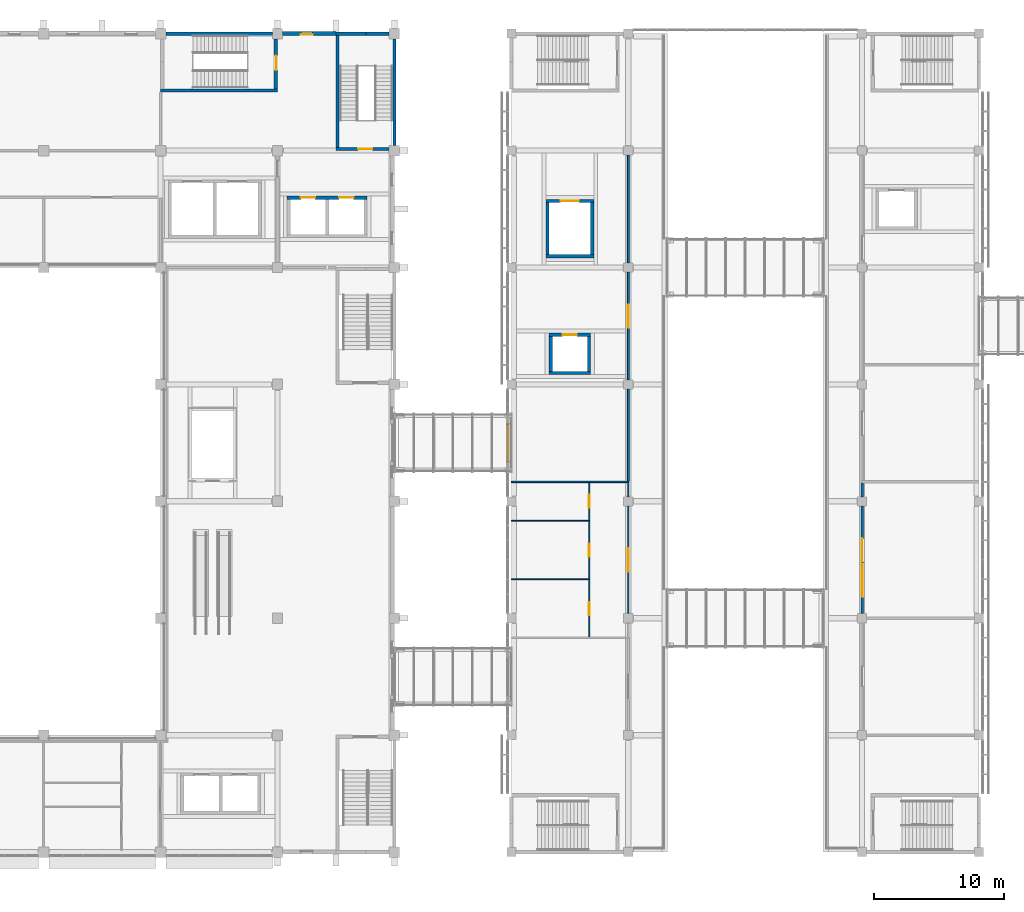
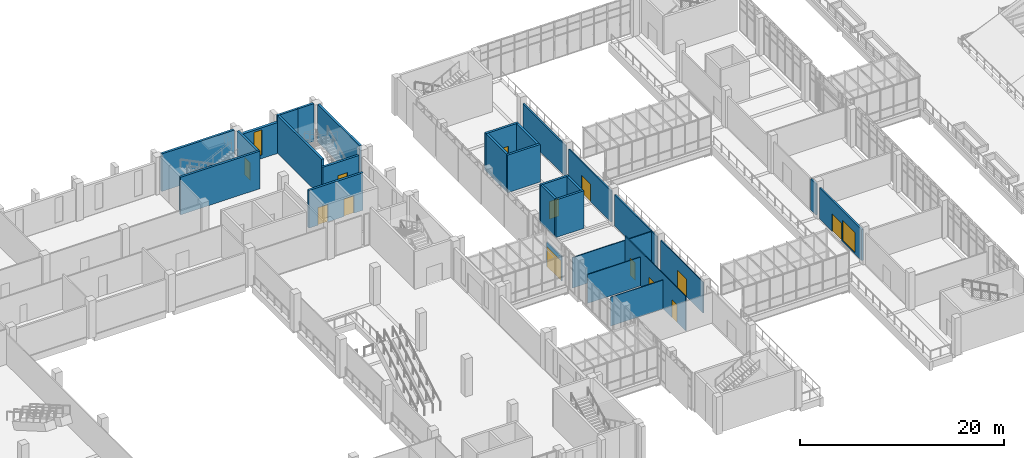
# One storey, part 74 of 106: 30 walls, 13 doors, 2 windows, 15 openings.
"""IFC4 building model written with IfcOpenShell, lengths in metres."""

from ifc_helpers import new_model, si_unit, direction, frame, frame_2d, origin, place, context, subcontext, project, spatial, rectangle, extrude, material, layer, layer_set, type_object, element, fill, save


model = new_model("IFC4")

# Units and contexts
model_context = context("Model", 3, precision=1e-05, world=origin(), true_north=direction((0.0, 1.0)))
body_context = subcontext(model_context, "Body", "Model", "MODEL_VIEW")
ifc_project = project(units=[si_unit("LENGTHUNIT", "METRE"), si_unit("AREAUNIT", "SQUARE_METRE"), si_unit("VOLUMEUNIT", "CUBIC_METRE"), si_unit("PLANEANGLEUNIT", "RADIAN"), si_unit("MASSUNIT", "GRAM", prefix="KILO")], contexts=[model_context])

# Site, building, storey
site_placement = place(None, origin())
site = spatial("IfcSite", under=ifc_project, at=site_placement, CompositionType="ELEMENT")
building_placement = place(site_placement, origin())
building = spatial("IfcBuilding", under=site, at=building_placement, Name="Guidao Yard Department Store", CompositionType="ELEMENT")
storey_placement = place(building_placement, frame((0.0, 0.0, 10.5)))
storey = spatial("IfcBuildingStorey", under=building, at=storey_placement, Name="L02", CompositionType="ELEMENT", Elevation=10.5)

# Walls
ifc_material_1 = material(Name="Moisture-resistant board on Steel Q235 studs", Category="steel")
ifc_layer_1 = layer(ifc_material_1, 0.080078125)
ifc_layer_set_1 = layer_set([ifc_layer_1], Name="Cubicle and Duct Partition P8 80 mm moisture-resistant board")
wall_type_1 = type_object("IfcWallType", Name="Cubicle and Duct Partition P8 80 mm moisture-resistant board", PredefinedType="PARTITIONING", material=ifc_layer_set_1)
for number, where, z_axis, x_axis, name in (
    (1, (72.0, 66.0, 0.0), (0.0, 0.0, 1.0), (1.0, 0.0, 0.0), "Wall W-AL02-010"),
    (2, (72.0, 70.5, 0.0), (0.0, 0.0, 1.0), (1.0, 0.0, 0.0), "Wall W-AL02-011"),
):
    element("IfcWall", number, at=place(storey_placement, frame(where, z_axis=z_axis, x_axis=x_axis)), inside=storey, type_object=wall_type_1, Name=name, PredefinedType="PARTITIONING", context=body_context, shape_type="SweptSolid", body=[
        extrude(rectangle(XDim=5.949951171875, YDim=0.080078125, at=frame_2d((2.97509765625, 0.0))), origin(), (0.0, 0.0, 1.0), 3.449951171875),
    ])

# Wall, opening, door
ifc_material_2 = material(Name="Aluminium 6063-T5", Category="aluminium")
ifc_layer_2 = layer(ifc_material_2, 0.1201171875)
ifc_layer_set_2 = layer_set([ifc_layer_2], Name="Glazing frame wall 120")
wall_type_2 = type_object("IfcWallType", Name="Glazing frame wall 120", PredefinedType="STANDARD", material=ifc_layer_set_2)
wall_1_placement = place(storey_placement, frame((71.719970703125, 75.030029296875, 0.0), z_axis=(0.0, 0.0, 1.0), x_axis=(0.0, 1.0, 0.0)))
wall_1 = element("IfcWall", 3, at=wall_1_placement, inside=storey, type_object=wall_type_2, Name="Frame wall for Bridge door BR04", PredefinedType="STANDARD", context=body_context, shape_type="SweptSolid", body=[
    extrude(rectangle(XDim=2.93994140625, YDim=0.1201171875, at=frame_2d((1.469970703125, 0.0))), origin(), (0.0, 0.0, 1.0), 2.969970703125),
])
opening_1_placement = place(wall_1_placement, frame((0.070068359375, 0.0, 0.0)))
opening_1 = element("IfcOpeningElement", 4, at=opening_1_placement, cuts=wall_1, Name="Opening L02-853", PredefinedType="OPENING", context=body_context, shape_type="SweptSolid", body=[
    extrude(rectangle(XDim=2.800048828125, YDim=2.39990234375, at=frame_2d((1.39990234375, 1.199951171875))), frame((0.0, 0.070068359375, 0.0), z_axis=(0.0, -1.0, 0.0), x_axis=(1.0, 0.0, 0.0)), (0.0, 0.0, 1.0), 0.14013671875),
])
ifc_material_3 = material(Name="Fire-resistant glass in steel frame", Category="steel")
door_type_1 = type_object("IfcDoorType", Name="Bridge door BD1 2800 x 2400 fire-rated glazed double leaf", OperationType="DOUBLE_DOOR_SINGLE_SWING", PredefinedType="DOOR", material=ifc_material_3)
door_1_placement = place(opening_1_placement, origin())
door_1 = element("IfcDoor", 5, at=door_1_placement, inside=storey, type_object=door_type_1, Name="Bridge door BR04", OperationType="DOUBLE_DOOR_SINGLE_SWING", OverallHeight=2.39990234375, OverallWidth=2.800048828125, PredefinedType="DOOR", context=body_context, shape_type="SweptSolid", body=[
    extrude(rectangle(XDim=2.800048828125, YDim=2.39990234375, at=frame_2d((1.39990234375, 1.199951171875))), frame((0.0, 0.02490234375, 0.0), z_axis=(0.0, -1.0, 0.0), x_axis=(1.0, 0.0, 0.0)), (0.0, 0.0, 1.0), 0.050048828125),
])
fill(opening_1, door_1)

# Wall, opening, window
ifc_material_4 = material(Name="Concrete C35", Category="concrete")
ifc_layer_3 = layer(ifc_material_4, 0.300048828125)
ifc_layer_set_3 = layer_set([ifc_layer_3], Name="Hall facade wall 300 C35")
wall_type_3 = type_object("IfcWallType", Name="Hall facade wall 300 C35", PredefinedType="SOLIDWALL", material=ifc_layer_set_3)
wall_2_placement = place(storey_placement, frame((54.39990234375, 108.0, 0.0), z_axis=(0.0, 0.0, 1.0), x_axis=(1.0, 0.0, 0.0)))
wall_2 = element("IfcWall", 6, at=wall_2_placement, inside=storey, type_object=wall_type_3, Name="Hall facade wall", PredefinedType="SOLIDWALL", context=body_context, shape_type="SweptSolid", body=[
    extrude(rectangle(XDim=4.10009765625, YDim=0.300048828125, at=frame_2d((2.050048828125, 0.0))), origin(), (0.0, 0.0, 1.0), 3.699951171875),
])
opening_2_placement = place(wall_2_placement, frame((1.39990234375, 0.0, 0.449951171875)))
opening_2 = element("IfcOpeningElement", 7, at=opening_2_placement, cuts=wall_2, Name="Opening WN-L02-E18", PredefinedType="OPENING", context=body_context, shape_type="SweptSolid", body=[
    extrude(rectangle(XDim=0.89990234375, YDim=3.0, at=frame_2d((0.449951171875, 1.5))), frame((0.0, 0.159912109375, 0.0), z_axis=(0.0, -1.0, 0.0), x_axis=(1.0, 0.0, 0.0)), (0.0, 0.0, 1.0), 0.320068359375),
])
ifc_material_5 = material(Name="Laminated glass in aluminium frame", Category="aluminium")
window_type_1 = type_object("IfcWindowType", Name="Slot window SL1 900 x 3000 fixed", PartitioningType="SINGLE_PANEL", PredefinedType="WINDOW", material=ifc_material_5)
window_1_placement = place(opening_2_placement, origin())
window_1 = element("IfcWindow", 8, at=window_1_placement, inside=storey, type_object=window_type_1, Name="Slot window", OverallHeight=3.0, OverallWidth=0.89990234375, PartitioningType="SINGLE_PANEL", PredefinedType="WINDOW", context=body_context, shape_type="SweptSolid", body=[
    extrude(rectangle(XDim=0.89990234375, YDim=3.0, at=frame_2d((0.449951171875, 1.5))), frame((0.0, -0.030029296875, 0.0), z_axis=(0.0, -1.0, 0.0), x_axis=(1.0, 0.0, 0.0)), (0.0, 0.0, 1.0), 0.06005859375),
])
fill(opening_2, window_1)

# Wall, openings, doors
ifc_material_6 = material(Name="Gypsum board on Steel Q235 studs", Category="steel")
ifc_layer_4 = layer(ifc_material_6, 0.10009765625)
ifc_layer_set_4 = layer_set([ifc_layer_4], Name="Partition P1 100 mm gypsum board EI 30")
wall_type_4 = type_object("IfcWallType", Name="Partition P1 100 mm gypsum board EI 30", PredefinedType="PARTITIONING", material=ifc_layer_set_4)
wall_3_placement = place(storey_placement, frame((78.0, 61.550048828125, 0.0), z_axis=(0.0, 0.0, 1.0), x_axis=(0.0, 1.0, 0.0)))
wall_3 = element("IfcWall", 9, at=wall_3_placement, inside=storey, type_object=wall_type_4, Name="Wall W-AL02-005", PredefinedType="PARTITIONING", context=body_context, shape_type="SweptSolid", body=[
    extrude(rectangle(XDim=11.89990234375, YDim=0.10009765625, at=frame_2d((5.949951171875, 0.0))), origin(), (0.0, 0.0, 1.0), 4.14990234375),
])
opening_3_placement = place(wall_3_placement, frame((1.699951171875, 0.0, 0.0)))
opening_3 = element("IfcOpeningElement", 10, at=opening_3_placement, cuts=wall_3, Name="Opening AL02-003", PredefinedType="OPENING", context=body_context, shape_type="SweptSolid", body=[
    extrude(rectangle(XDim=1.0, YDim=2.10009765625, at=frame_2d((0.5, 1.050048828125))), frame((0.0, 0.06005859375, 0.0), z_axis=(0.0, -1.0, 0.0), x_axis=(1.0, 0.0, 0.0)), (0.0, 0.0, 1.0), 0.1201171875),
])
opening_4_placement = place(wall_3_placement, frame((6.199951171875, 0.0, 0.0)))
opening_4 = element("IfcOpeningElement", 11, at=opening_4_placement, cuts=wall_3, Name="Opening AL02-005", PredefinedType="OPENING", context=body_context, shape_type="SweptSolid", body=[
    extrude(rectangle(XDim=1.0, YDim=2.10009765625, at=frame_2d((0.5, 1.050048828125))), frame((0.0, 0.06005859375, 0.0), z_axis=(0.0, -1.0, 0.0), x_axis=(1.0, 0.0, 0.0)), (0.0, 0.0, 1.0), 0.1201171875),
])
opening_5_placement = place(wall_3_placement, frame((9.949951171875, 0.0, 0.0)))
opening_5 = element("IfcOpeningElement", 12, at=opening_5_placement, cuts=wall_3, Name="Opening AL02-007", PredefinedType="OPENING", context=body_context, shape_type="SweptSolid", body=[
    extrude(rectangle(XDim=1.0, YDim=2.10009765625, at=frame_2d((0.5, 1.050048828125))), frame((0.0, 0.06005859375, 0.0), z_axis=(0.0, -1.0, 0.0), x_axis=(1.0, 0.0, 0.0)), (0.0, 0.0, 1.0), 0.1201171875),
])
ifc_material_7 = material(Name="Timber door leaf", Category="wood")
door_type_2 = type_object("IfcDoorType", Name="Door AD10 accessible WC 1000 x 2100", OperationType="SINGLE_SWING_LEFT", PredefinedType="DOOR", material=ifc_material_7)
door_2_placement = place(opening_4_placement, origin())
door_2 = element("IfcDoor", 13, at=door_2_placement, inside=storey, type_object=door_type_2, Name="Door AL02-005", OperationType="SINGLE_SWING_RIGHT", OverallHeight=2.10009765625, OverallWidth=1.0, PredefinedType="DOOR", context=body_context, shape_type="SweptSolid", body=[
    extrude(rectangle(XDim=1.0, YDim=2.10009765625, at=frame_2d((0.5, 1.050048828125))), frame((0.0, 0.02490234375, 0.0), z_axis=(0.0, -1.0, 0.0), x_axis=(1.0, 0.0, 0.0)), (0.0, 0.0, 1.0), 0.050048828125),
])
fill(opening_4, door_2)
ifc_material_8 = material(Name="Timber door leaf", Category="wood")
door_type_3 = type_object("IfcDoorType", Name="Door D2 1000 x 2100", OperationType="SINGLE_SWING_LEFT", PredefinedType="DOOR", material=ifc_material_8)
door_3_placement = place(opening_3_placement, origin())
door_3 = element("IfcDoor", 14, at=door_3_placement, inside=storey, type_object=door_type_3, Name="Door AL02-003", OperationType="SINGLE_SWING_LEFT", OverallHeight=2.10009765625, OverallWidth=1.0, PredefinedType="DOOR", context=body_context, shape_type="SweptSolid", body=[
    extrude(rectangle(XDim=1.0, YDim=2.10009765625, at=frame_2d((0.5, 1.050048828125))), frame((0.0, 0.02490234375, 0.0), z_axis=(0.0, -1.0, 0.0), x_axis=(1.0, 0.0, 0.0)), (0.0, 0.0, 1.0), 0.050048828125),
])
fill(opening_3, door_3)
door_4_placement = place(opening_5_placement, origin())
door_4 = element("IfcDoor", 15, at=door_4_placement, inside=storey, type_object=door_type_3, Name="Door AL02-007", OperationType="SINGLE_SWING_RIGHT", OverallHeight=2.10009765625, OverallWidth=1.0, PredefinedType="DOOR", context=body_context, shape_type="SweptSolid", body=[
    extrude(rectangle(XDim=1.0, YDim=2.10009765625, at=frame_2d((0.5, 1.050048828125))), frame((0.0, 0.02490234375, 0.0), z_axis=(0.0, -1.0, 0.0), x_axis=(1.0, 0.0, 0.0)), (0.0, 0.0, 1.0), 0.050048828125),
])
fill(opening_5, door_4)

# Wall, opening, door
wall_4_placement = place(storey_placement, frame((81.0, 63.35009765625, 0.0), z_axis=(0.0, 0.0, 1.0), x_axis=(0.0, 1.0, 0.0)))
wall_4 = element("IfcWall", 16, at=wall_4_placement, inside=storey, type_object=wall_type_4, Name="Wall W-AL02-008", PredefinedType="PARTITIONING", context=body_context, shape_type="SweptSolid", body=[
    extrude(rectangle(XDim=8.2998046875, YDim=0.10009765625, at=frame_2d((4.14990234375, 0.0))), origin(), (0.0, 0.0, 1.0), 3.699951171875),
])
opening_6_placement = place(wall_4_placement, frame((3.25, 0.0, 0.0)))
opening_6 = element("IfcOpeningElement", 17, at=opening_6_placement, cuts=wall_4, Name="Opening AL02-004", PredefinedType="OPENING", context=body_context, shape_type="SweptSolid", body=[
    extrude(rectangle(XDim=1.800048828125, YDim=2.10009765625, at=frame_2d((0.89990234375, 1.050048828125))), frame((0.0, 0.06005859375, 0.0), z_axis=(0.0, -1.0, 0.0), x_axis=(1.0, 0.0, 0.0)), (0.0, 0.0, 1.0), 0.1201171875),
])
ifc_material_9 = material(Name="Timber door leaf", Category="wood")
door_type_4 = type_object("IfcDoorType", Name="Door D3 double 1800 x 2100", OperationType="DOUBLE_DOOR_SINGLE_SWING", PredefinedType="DOOR", material=ifc_material_9)
door_5_placement = place(opening_6_placement, origin())
door_5 = element("IfcDoor", 18, at=door_5_placement, inside=storey, type_object=door_type_4, Name="Door AL02-004", OperationType="DOUBLE_DOOR_SINGLE_SWING", OverallHeight=2.10009765625, OverallWidth=1.800048828125, PredefinedType="DOOR", context=body_context, shape_type="SweptSolid", body=[
    extrude(rectangle(XDim=1.800048828125, YDim=2.10009765625, at=frame_2d((0.89990234375, 1.050048828125))), frame((0.0, 0.02490234375, 0.0), z_axis=(0.0, -1.0, 0.0), x_axis=(1.0, 0.0, 0.0)), (0.0, 0.0, 1.0), 0.050048828125),
])
fill(opening_6, door_5)

# Walls
wall_5_placement = place(storey_placement, frame((81.0, 72.35009765625, 0.0), z_axis=(0.0, 0.0, 1.0), x_axis=(0.0, 1.0, 0.0)))
element("IfcWall", 19, at=wall_5_placement, inside=storey, type_object=wall_type_4, Name="Wall W-AL02-012", PredefinedType="PARTITIONING", context=body_context, shape_type="SweptSolid", body=[
    extrude(rectangle(XDim=1.099853515625, YDim=0.10009765625, at=frame_2d((0.5498046875, 0.0))), origin(), (0.0, 0.0, 1.0), 3.699951171875),
])
wall_6_placement = place(storey_placement, frame((72.0, 73.5, 0.0), z_axis=(0.0, 0.0, 1.0), x_axis=(1.0, 0.0, 0.0)))
element("IfcWall", 20, at=wall_6_placement, inside=storey, type_object=wall_type_4, Name="Wall W-AL02-015", PredefinedType="PARTITIONING", context=body_context, shape_type="SweptSolid", body=[
    extrude(rectangle(XDim=9.050048828125, YDim=0.10009765625, at=frame_2d((4.52490234375, 0.0))), origin(), (0.0, 0.0, 1.0), 3.64990234375),
])

# Wall, openings, door, window
ifc_material_10 = material(Name="Concrete block MU10", Category="concrete")
ifc_layer_5 = layer(ifc_material_10, 0.199951171875)
ifc_layer_set_5 = layer_set([ifc_layer_5], Name="Shopfront Wall P4 200 mm blockwork EI 60")
wall_type_5 = type_object("IfcWallType", Name="Shopfront Wall P4 200 mm blockwork EI 60", PredefinedType="PARTITIONING", material=ifc_layer_set_5)
wall_7_placement = place(storey_placement, frame((99.0, 63.35009765625, 0.0), z_axis=(0.0, 0.0, 1.0), x_axis=(0.0, 1.0, 0.0)))
wall_7 = element("IfcWall", 21, at=wall_7_placement, inside=storey, type_object=wall_type_5, Name="Wall W-AL02-009", PredefinedType="PARTITIONING", context=body_context, shape_type="SweptSolid", body=[
    extrude(rectangle(XDim=8.2998046875, YDim=0.199951171875, at=frame_2d((4.14990234375, 0.0))), origin(), (0.0, 0.0, 1.0), 3.699951171875),
])
opening_7_placement = place(wall_7_placement, frame((5.800048828125, 0.0, 0.0), z_axis=(0.0, 0.0, 1.0), x_axis=(-1.0, 0.0, 0.0)))
opening_7 = element("IfcOpeningElement", 22, at=opening_7_placement, cuts=wall_7, Name="Opening AL02-006", PredefinedType="OPENING", context=body_context, shape_type="SweptSolid", body=[
    extrude(rectangle(XDim=1.800048828125, YDim=2.10009765625, at=frame_2d((0.89990234375, 1.050048828125))), frame((0.0, 0.10986328125, 0.0), z_axis=(0.0, -1.0, 0.0), x_axis=(1.0, 0.0, 0.0)), (0.0, 0.0, 1.0), 0.219970703125),
])
opening_8_placement = place(wall_7_placement, frame((1.300048828125, 0.0, 0.14990234375)))
opening_8 = element("IfcOpeningElement", 23, at=opening_8_placement, cuts=wall_7, Name="Opening WN-AL02-301", PredefinedType="OPENING", context=body_context, shape_type="SweptSolid", body=[
    extrude(rectangle(XDim=2.5, YDim=2.39990234375, at=frame_2d((1.25, 1.199951171875))), frame((0.0, 0.10986328125, 0.0), z_axis=(0.0, -1.0, 0.0), x_axis=(1.0, 0.0, 0.0)), (0.0, 0.0, 1.0), 0.219970703125),
])
ifc_material_11 = material(Name="Steel Q235", Category="steel")
door_type_5 = type_object("IfcDoorType", Name="Door FD5 double 1800 x 2100 FD60", OperationType="DOUBLE_DOOR_SINGLE_SWING", PredefinedType="DOOR", material=ifc_material_11)
door_6_placement = place(opening_7_placement, origin())
door_6 = element("IfcDoor", 24, at=door_6_placement, inside=storey, type_object=door_type_5, Name="Door AL02-006", OperationType="DOUBLE_DOOR_SINGLE_SWING", OverallHeight=2.10009765625, OverallWidth=1.800048828125, PredefinedType="DOOR", context=body_context, shape_type="SweptSolid", body=[
    extrude(rectangle(XDim=1.800048828125, YDim=2.10009765625, at=frame_2d((0.89990234375, 1.050048828125))), frame((0.0, 0.02490234375, 0.0), z_axis=(0.0, -1.0, 0.0), x_axis=(1.0, 0.0, 0.0)), (0.0, 0.0, 1.0), 0.050048828125),
])
fill(opening_7, door_6)
ifc_material_12 = material(Name="Fire-rated glazing in Steel Q235 frame", Category="steel")
window_type_2 = type_object("IfcWindowType", Name="Window WN1 fire-glazed shop panel 2500 x 2400 EI 60", PartitioningType="SINGLE_PANEL", PredefinedType="WINDOW", material=ifc_material_12)
window_2_placement = place(opening_8_placement, origin())
window_2 = element("IfcWindow", 25, at=window_2_placement, inside=storey, type_object=window_type_2, Name="Window WN-AL02-301", OverallHeight=2.39990234375, OverallWidth=2.5, PartitioningType="SINGLE_PANEL", PredefinedType="WINDOW", context=body_context, shape_type="SweptSolid", body=[
    extrude(rectangle(XDim=2.5, YDim=2.39990234375, at=frame_2d((1.25, 1.199951171875))), frame((0.0, 0.030029296875, 0.0), z_axis=(0.0, -1.0, 0.0), x_axis=(1.0, 0.0, 0.0)), (0.0, 0.0, 1.0), 0.06005859375),
])
fill(opening_8, window_2)

# Walls
wall_8_placement = place(storey_placement, frame((99.0, 72.35009765625, 0.0), z_axis=(0.0, 0.0, 1.0), x_axis=(0.0, 1.0, 0.0)))
element("IfcWall", 26, at=wall_8_placement, inside=storey, type_object=wall_type_5, Name="Wall W-AL02-013", PredefinedType="PARTITIONING", context=body_context, shape_type="SweptSolid", body=[
    extrude(rectangle(XDim=1.0498046875, YDim=0.199951171875, at=frame_2d((0.52490234375, 0.0))), origin(), (0.0, 0.0, 1.0), 3.699951171875),
])
ifc_material_13 = material(Name="Concrete block MU10", Category="concrete")
ifc_layer_6 = layer(ifc_material_13, 0.14990234375)
ifc_layer_set_6 = layer_set([ifc_layer_6], Name="Wall P2 150 mm blockwork EI 60")
wall_type_6 = type_object("IfcWallType", Name="Wall P2 150 mm blockwork EI 60", PredefinedType="PARTITIONING", material=ifc_layer_set_6)
wall_9_placement = place(storey_placement, frame((81.0, 73.550048828125, 0.0), z_axis=(0.0, 0.0, 1.0), x_axis=(0.0, 1.0, 0.0)))
element("IfcWall", 27, at=wall_9_placement, inside=storey, type_object=wall_type_6, Name="Wall W-AL02-016", PredefinedType="PARTITIONING", context=body_context, shape_type="SweptSolid", body=[
    extrude(rectangle(XDim=7.099853515625, YDim=0.14990234375, at=frame_2d((3.5498046875, 0.0))), origin(), (0.0, 0.0, 1.0), 3.699951171875),
])

# Wall, opening, door
wall_10_placement = place(storey_placement, frame((81.0, 81.35009765625, 0.0), z_axis=(0.0, 0.0, 1.0), x_axis=(0.0, 1.0, 0.0)))
wall_10 = element("IfcWall", 28, at=wall_10_placement, inside=storey, type_object=wall_type_6, Name="Wall W-AL02-018", PredefinedType="PARTITIONING", context=body_context, shape_type="SweptSolid", body=[
    extrude(rectangle(XDim=8.2998046875, YDim=0.14990234375, at=frame_2d((4.14990234375, 0.0))), origin(), (0.0, 0.0, 1.0), 3.699951171875),
])
opening_9_placement = place(wall_10_placement, frame((4.0, 0.0, 0.0)))
opening_9 = element("IfcOpeningElement", 29, at=opening_9_placement, cuts=wall_10, Name="Opening AL02-009", PredefinedType="OPENING", context=body_context, shape_type="SweptSolid", body=[
    extrude(rectangle(XDim=1.800048828125, YDim=2.10009765625, at=frame_2d((0.89990234375, 1.050048828125))), frame((0.0, 0.0849609375, 0.0), z_axis=(0.0, -1.0, 0.0), x_axis=(1.0, 0.0, 0.0)), (0.0, 0.0, 1.0), 0.169921875),
])
door_7_placement = place(opening_9_placement, origin())
door_7 = element("IfcDoor", 30, at=door_7_placement, inside=storey, type_object=door_type_5, Name="Door AL02-009", OperationType="DOUBLE_DOOR_SINGLE_SWING", OverallHeight=2.10009765625, OverallWidth=1.800048828125, PredefinedType="DOOR", context=body_context, shape_type="SweptSolid", body=[
    extrude(rectangle(XDim=1.800048828125, YDim=2.10009765625, at=frame_2d((0.89990234375, 1.050048828125))), frame((0.0, 0.02490234375, 0.0), z_axis=(0.0, -1.0, 0.0), x_axis=(1.0, 0.0, 0.0)), (0.0, 0.0, 1.0), 0.050048828125),
])
fill(opening_9, door_7)

# Wall
wall_11_placement = place(storey_placement, frame((81.0, 90.35009765625, 0.0), z_axis=(0.0, 0.0, 1.0), x_axis=(0.0, 1.0, 0.0)))
element("IfcWall", 31, at=wall_11_placement, inside=storey, type_object=wall_type_6, Name="Wall W-AL02-021", PredefinedType="PARTITIONING", context=body_context, shape_type="SweptSolid", body=[
    extrude(rectangle(XDim=8.2998046875, YDim=0.14990234375, at=frame_2d((4.14990234375, 0.0))), origin(), (0.0, 0.0, 1.0), 3.699951171875),
])

# Wall, opening, door
ifc_material_14 = material(Name="Concrete C40", Category="concrete")
ifc_layer_7 = layer(ifc_material_14, 0.25)
ifc_layer_set_7 = layer_set([ifc_layer_7], Name="Wall RC 250 C40 stair and shaft")
wall_type_7 = type_object("IfcWallType", Name="Wall RC 250 C40 stair and shaft", PredefinedType="SHEAR", material=ifc_layer_set_7)
wall_12_placement = place(storey_placement, frame((58.5, 99.125, 0.0), z_axis=(0.0, 0.0, 1.0), x_axis=(1.0, 0.0, 0.0)))
wall_12 = element("IfcWall", 32, at=wall_12_placement, inside=storey, type_object=wall_type_7, Name="Stair wall SA6", PredefinedType="SHEAR", context=body_context, shape_type="SweptSolid", body=[
    extrude(rectangle(XDim=4.10009765625, YDim=0.25, at=frame_2d((2.050048828125, 0.0))), origin(), (0.0, 0.0, 1.0), 3.699951171875),
])
opening_10_placement = place(wall_12_placement, frame((1.699951171875, 0.0, 0.0)))
opening_10 = element("IfcOpeningElement", 33, at=opening_10_placement, cuts=wall_12, Name="Opening L02-805", PredefinedType="OPENING", context=body_context, shape_type="SweptSolid", body=[
    extrude(rectangle(XDim=1.10009765625, YDim=2.10009765625, at=frame_2d((0.550048828125, 1.050048828125))), frame((0.0, 0.135009765625, 0.0), z_axis=(0.0, -1.0, 0.0), x_axis=(1.0, 0.0, 0.0)), (0.0, 0.0, 1.0), 0.27001953125),
])
ifc_material_15 = material(Name="Steel Q235", Category="steel")
door_type_6 = type_object("IfcDoorType", Name="Door fire-resisting 1100 x 2100 FD60", OperationType="SINGLE_SWING_LEFT", PredefinedType="DOOR", material=ifc_material_15)
door_8_placement = place(opening_10_placement, origin())
door_8 = element("IfcDoor", 34, at=door_8_placement, inside=storey, type_object=door_type_6, Name="Stair A6 door L02", OperationType="SINGLE_SWING_RIGHT", OverallHeight=2.10009765625, OverallWidth=1.10009765625, PredefinedType="DOOR", context=body_context, shape_type="SweptSolid", body=[
    extrude(rectangle(XDim=1.10009765625, YDim=2.10009765625, at=frame_2d((0.550048828125, 1.050048828125))), frame((0.0, 0.02490234375, 0.0), z_axis=(0.0, -1.0, 0.0), x_axis=(1.0, 0.0, 0.0)), (0.0, 0.0, 1.0), 0.050048828125),
])
fill(opening_10, door_8)

# Walls
wall_13_placement = place(storey_placement, frame((58.5, 108.0, 0.0), z_axis=(0.0, 0.0, 1.0), x_axis=(1.0, 0.0, 0.0)))
element("IfcWall", 35, at=wall_13_placement, inside=storey, type_object=wall_type_7, Name="Stair wall SA6", PredefinedType="SHEAR", context=body_context, shape_type="SweptSolid", body=[
    extrude(rectangle(XDim=2.31201171875, YDim=0.25, at=frame_2d((1.156005859375, 0.0))), origin(), (0.0, 0.0, 1.0), 4.5),
])
wall_14_placement = place(storey_placement, frame((60.81201171875, 108.0, 0.0), z_axis=(0.0, 0.0, 1.0), x_axis=(1.0, 0.0, 0.0)))
element("IfcWall", 36, at=wall_14_placement, inside=storey, type_object=wall_type_7, Name="Stair wall SA6", PredefinedType="SHEAR", context=body_context, shape_type="SweptSolid", body=[
    extrude(rectangle(XDim=1.7880859375, YDim=0.25, at=frame_2d((0.89404296875, 0.0))), origin(), (0.0, 0.0, 1.0), 4.5),
])
wall_15_placement = place(storey_placement, frame((58.625, 99.25, 0.0), z_axis=(0.0, 0.0, 1.0), x_axis=(0.0, 1.0, 0.0)))
element("IfcWall", 37, at=wall_15_placement, inside=storey, type_object=wall_type_7, Name="Stair wall SA6", PredefinedType="SHEAR", context=body_context, shape_type="SweptSolid", body=[
    extrude(rectangle(XDim=8.625, YDim=0.25, at=frame_2d((4.3125, 0.0))), origin(), (0.0, 0.0, 1.0), 4.5),
])
wall_16_placement = place(storey_placement, frame((63.0, 99.39990234375, 0.0), z_axis=(0.0, 0.0, 1.0), x_axis=(0.0, 1.0, 0.0)))
element("IfcWall", 38, at=wall_16_placement, inside=storey, type_object=wall_type_7, Name="Stair wall SA6", PredefinedType="SHEAR", context=body_context, shape_type="SweptSolid", body=[
    extrude(rectangle(XDim=8.2001953125, YDim=0.25, at=frame_2d((4.10009765625, 0.0))), origin(), (0.0, 0.0, 1.0), 4.5),
])
wall_17_placement = place(storey_placement, frame((45.0, 103.625, 0.0), z_axis=(0.0, 0.0, 1.0), x_axis=(1.0, 0.0, 0.0)))
element("IfcWall", 39, at=wall_17_placement, inside=storey, type_object=wall_type_7, Name="Stair wall SA7", PredefinedType="SHEAR", context=body_context, shape_type="SweptSolid", body=[
    extrude(rectangle(XDim=9.0, YDim=0.25, at=frame_2d((4.5, 0.0))), origin(), (0.0, 0.0, 1.0), 4.5),
])
wall_18_placement = place(storey_placement, frame((45.39990234375, 108.0, 0.0), z_axis=(0.0, 0.0, 1.0), x_axis=(1.0, 0.0, 0.0)))
element("IfcWall", 40, at=wall_18_placement, inside=storey, type_object=wall_type_7, Name="Stair wall SA7", PredefinedType="SHEAR", context=body_context, shape_type="SweptSolid", body=[
    extrude(rectangle(XDim=8.2001953125, YDim=0.25, at=frame_2d((4.10009765625, 0.0))), origin(), (0.0, 0.0, 1.0), 4.5),
])

# Wall, opening, door
wall_19_placement = place(storey_placement, frame((53.875, 103.75, 0.0), z_axis=(0.0, 0.0, 1.0), x_axis=(0.0, 1.0, 0.0)))
wall_19 = element("IfcWall", 41, at=wall_19_placement, inside=storey, type_object=wall_type_7, Name="Stair wall SA7", PredefinedType="SHEAR", context=body_context, shape_type="SweptSolid", body=[
    extrude(rectangle(XDim=3.85009765625, YDim=0.25, at=frame_2d((1.925048828125, 0.0))), origin(), (0.0, 0.0, 1.0), 4.5),
])
opening_11_placement = place(wall_19_placement, frame((1.449951171875, 0.0, 0.0)))
opening_11 = element("IfcOpeningElement", 42, at=opening_11_placement, cuts=wall_19, Name="Opening L02-806", PredefinedType="OPENING", context=body_context, shape_type="SweptSolid", body=[
    extrude(rectangle(XDim=1.10009765625, YDim=2.10009765625, at=frame_2d((0.550048828125, 1.050048828125))), frame((0.0, 0.135009765625, 0.0), z_axis=(0.0, -1.0, 0.0), x_axis=(1.0, 0.0, 0.0)), (0.0, 0.0, 1.0), 0.27001953125),
])
door_9_placement = place(opening_11_placement, origin())
door_9 = element("IfcDoor", 43, at=door_9_placement, inside=storey, type_object=door_type_6, Name="Stair A7 door L02", OperationType="SINGLE_SWING_RIGHT", OverallHeight=2.10009765625, OverallWidth=1.10009765625, PredefinedType="DOOR", context=body_context, shape_type="SweptSolid", body=[
    extrude(rectangle(XDim=1.10009765625, YDim=2.10009765625, at=frame_2d((0.550048828125, 1.050048828125))), frame((0.0, 0.02490234375, 0.0), z_axis=(0.0, -1.0, 0.0), x_axis=(1.0, 0.0, 0.0)), (0.0, 0.0, 1.0), 0.050048828125),
])
fill(opening_11, door_9)

wall_20_placement = place(storey_placement, frame((74.89990234375, 84.824951171875, 0.0), z_axis=(0.0, 0.0, 1.0), x_axis=(1.0, 0.0, 0.0)))
wall_20 = element("IfcWall", 44, at=wall_20_placement, inside=storey, type_object=wall_type_7, Name="Lift shaft wall GL1", PredefinedType="SHEAR", context=body_context, shape_type="SweptSolid", body=[
    extrude(rectangle(XDim=3.2001953125, YDim=0.25, at=frame_2d((1.60009765625, 0.0))), origin(), (0.0, 0.0, 1.0), 4.5),
])
opening_12_placement = place(wall_20_placement, frame((1.050048828125, 0.0, 0.0)))
opening_12 = element("IfcOpeningElement", 45, at=opening_12_placement, cuts=wall_20, Name="Opening LD-GL1-L02", PredefinedType="OPENING", context=body_context, shape_type="SweptSolid", body=[
    extrude(rectangle(XDim=1.10009765625, YDim=2.10009765625, at=frame_2d((0.550048828125, 1.050048828125))), frame((0.0, 0.135009765625, 0.0), z_axis=(0.0, -1.0, 0.0), x_axis=(1.0, 0.0, 0.0)), (0.0, 0.0, 1.0), 0.27001953125),
])
ifc_material_16 = material(Name="Stainless steel 06Cr19Ni10", Category="steel")
door_type_7 = type_object("IfcDoorType", Name="Lift landing door fire-resisting sliding 1100 x 2100", OperationType="DOUBLE_DOOR_SLIDING", PredefinedType="DOOR", material=ifc_material_16)
door_10_placement = place(opening_12_placement, origin())
door_10 = element("IfcDoor", 46, at=door_10_placement, inside=storey, type_object=door_type_7, Name="Lift landing door GL1 L02", OperationType="DOUBLE_DOOR_SLIDING", OverallHeight=2.10009765625, OverallWidth=1.10009765625, PredefinedType="DOOR", context=body_context, shape_type="SweptSolid", body=[
    extrude(rectangle(XDim=1.10009765625, YDim=2.10009765625, at=frame_2d((0.550048828125, 1.050048828125))), frame((0.0, 0.02490234375, 0.0), z_axis=(0.0, -1.0, 0.0), x_axis=(1.0, 0.0, 0.0)), (0.0, 0.0, 1.0), 0.050048828125),
])
fill(opening_12, door_10)

# Walls
wall_21_placement = place(storey_placement, frame((74.89990234375, 81.875, 0.0), z_axis=(0.0, 0.0, 1.0), x_axis=(1.0, 0.0, 0.0)))
element("IfcWall", 47, at=wall_21_placement, inside=storey, type_object=wall_type_7, Name="Lift shaft wall GL1", PredefinedType="SHEAR", context=body_context, shape_type="SweptSolid", body=[
    extrude(rectangle(XDim=3.2001953125, YDim=0.25, at=frame_2d((1.60009765625, 0.0))), origin(), (0.0, 0.0, 1.0), 4.5),
])
for number, where, z_axis, x_axis, name in (
    (48, (75.02490234375, 82.0, 0.0), (0.0, 0.0, 1.0), (0.0, 1.0, 0.0), "Lift shaft wall GL1"),
    (49, (77.97509765625, 82.0, 0.0), (0.0, 0.0, 1.0), (0.0, 1.0, 0.0), "Lift shaft wall GL1"),
):
    element("IfcWall", number, at=place(storey_placement, frame(where, z_axis=z_axis, x_axis=x_axis)), inside=storey, type_object=wall_type_7, Name=name, PredefinedType="SHEAR", context=body_context, shape_type="SweptSolid", body=[
        extrude(rectangle(XDim=2.699951171875, YDim=0.25, at=frame_2d((1.35009765625, 0.0))), origin(), (0.0, 0.0, 1.0), 4.5),
    ])

# Wall, opening, door
wall_22_placement = place(storey_placement, frame((74.64990234375, 95.125, 0.0), z_axis=(0.0, 0.0, 1.0), x_axis=(1.0, 0.0, 0.0)))
wall_22 = element("IfcWall", 50, at=wall_22_placement, inside=storey, type_object=wall_type_7, Name="Lift shaft wall GG1", PredefinedType="SHEAR", context=body_context, shape_type="SweptSolid", body=[
    extrude(rectangle(XDim=3.7001953125, YDim=0.25, at=frame_2d((1.85009765625, 0.0))), origin(), (0.0, 0.0, 1.0), 4.5),
])
opening_13_placement = place(wall_22_placement, frame((1.14990234375, 0.0, 0.0)))
opening_13 = element("IfcOpeningElement", 51, at=opening_13_placement, cuts=wall_22, Name="Opening LD-GG1-L02", PredefinedType="OPENING", context=body_context, shape_type="SweptSolid", body=[
    extrude(rectangle(XDim=1.39990234375, YDim=2.10009765625, at=frame_2d((0.699951171875, 1.050048828125))), frame((0.0, 0.135009765625, 0.0), z_axis=(0.0, -1.0, 0.0), x_axis=(1.0, 0.0, 0.0)), (0.0, 0.0, 1.0), 0.27001953125),
])
ifc_material_17 = material(Name="Stainless steel 06Cr19Ni10", Category="steel")
door_type_8 = type_object("IfcDoorType", Name="Lift landing door fire-resisting sliding 1400 x 2100", OperationType="DOUBLE_DOOR_SLIDING", PredefinedType="DOOR", material=ifc_material_17)
door_11_placement = place(opening_13_placement, origin())
door_11 = element("IfcDoor", 52, at=door_11_placement, inside=storey, type_object=door_type_8, Name="Lift landing door GG1 L02", OperationType="DOUBLE_DOOR_SLIDING", OverallHeight=2.10009765625, OverallWidth=1.39990234375, PredefinedType="DOOR", context=body_context, shape_type="SweptSolid", body=[
    extrude(rectangle(XDim=1.39990234375, YDim=2.10009765625, at=frame_2d((0.699951171875, 1.050048828125))), frame((0.0, 0.02490234375, 0.0), z_axis=(0.0, -1.0, 0.0), x_axis=(1.0, 0.0, 0.0)), (0.0, 0.0, 1.0), 0.050048828125),
])
fill(opening_13, door_11)

# Walls
wall_23_placement = place(storey_placement, frame((74.64990234375, 90.875, 0.0), z_axis=(0.0, 0.0, 1.0), x_axis=(1.0, 0.0, 0.0)))
element("IfcWall", 53, at=wall_23_placement, inside=storey, type_object=wall_type_7, Name="Lift shaft wall GG1", PredefinedType="SHEAR", context=body_context, shape_type="SweptSolid", body=[
    extrude(rectangle(XDim=3.7001953125, YDim=0.25, at=frame_2d((1.85009765625, 0.0))), origin(), (0.0, 0.0, 1.0), 4.5),
])
for number, where, z_axis, x_axis, name in (
    (54, (74.77490234375, 91.0, 0.0), (0.0, 0.0, 1.0), (0.0, 1.0, 0.0), "Lift shaft wall GG1"),
    (55, (78.22509765625, 91.0, 0.0), (0.0, 0.0, 1.0), (0.0, 1.0, 0.0), "Lift shaft wall GG1"),
):
    element("IfcWall", number, at=place(storey_placement, frame(where, z_axis=z_axis, x_axis=x_axis)), inside=storey, type_object=wall_type_7, Name=name, PredefinedType="SHEAR", context=body_context, shape_type="SweptSolid", body=[
        extrude(rectangle(XDim=4.0, YDim=0.25, at=frame_2d((2.0, 0.0))), origin(), (0.0, 0.0, 1.0), 4.5),
    ])

# Wall, openings, doors
wall_24_placement = place(storey_placement, frame((54.75, 95.375, 0.0), z_axis=(0.0, 0.0, 1.0), x_axis=(1.0, 0.0, 0.0)))
wall_24 = element("IfcWall", 56, at=wall_24_placement, inside=storey, type_object=wall_type_7, Name="Lift shaft wall HF1 to HF2", PredefinedType="SHEAR", context=body_context, shape_type="SweptSolid", body=[
    extrude(rectangle(XDim=6.14990234375, YDim=0.25, at=frame_2d((3.074951171875, 0.0))), origin(), (0.0, 0.0, 1.0), 4.5),
])
opening_14_placement = place(wall_24_placement, frame((1.050048828125, 0.0, 0.0)))
opening_14 = element("IfcOpeningElement", 57, at=opening_14_placement, cuts=wall_24, Name="Opening LD-HF1-L02", PredefinedType="OPENING", context=body_context, shape_type="SweptSolid", body=[
    extrude(rectangle(XDim=1.10009765625, YDim=2.10009765625, at=frame_2d((0.550048828125, 1.050048828125))), frame((0.0, 0.135009765625, 0.0), z_axis=(0.0, -1.0, 0.0), x_axis=(1.0, 0.0, 0.0)), (0.0, 0.0, 1.0), 0.27001953125),
])
opening_15_placement = place(wall_24_placement, frame((4.0, 0.0, 0.0)))
opening_15 = element("IfcOpeningElement", 58, at=opening_15_placement, cuts=wall_24, Name="Opening LD-HF2-L02", PredefinedType="OPENING", context=body_context, shape_type="SweptSolid", body=[
    extrude(rectangle(XDim=1.10009765625, YDim=2.10009765625, at=frame_2d((0.550048828125, 1.050048828125))), frame((0.0, 0.135009765625, 0.0), z_axis=(0.0, -1.0, 0.0), x_axis=(1.0, 0.0, 0.0)), (0.0, 0.0, 1.0), 0.27001953125),
])
door_12_placement = place(opening_14_placement, origin())
door_12 = element("IfcDoor", 59, at=door_12_placement, inside=storey, type_object=door_type_7, Name="Lift landing door HF1 L02", OperationType="DOUBLE_DOOR_SLIDING", OverallHeight=2.10009765625, OverallWidth=1.10009765625, PredefinedType="DOOR", context=body_context, shape_type="SweptSolid", body=[
    extrude(rectangle(XDim=1.10009765625, YDim=2.10009765625, at=frame_2d((0.550048828125, 1.050048828125))), frame((0.0, 0.02490234375, 0.0), z_axis=(0.0, -1.0, 0.0), x_axis=(1.0, 0.0, 0.0)), (0.0, 0.0, 1.0), 0.050048828125),
])
fill(opening_14, door_12)
door_13_placement = place(opening_15_placement, origin())
door_13 = element("IfcDoor", 60, at=door_13_placement, inside=storey, type_object=door_type_7, Name="Lift landing door HF2 L02", OperationType="DOUBLE_DOOR_SLIDING", OverallHeight=2.10009765625, OverallWidth=1.10009765625, PredefinedType="DOOR", context=body_context, shape_type="SweptSolid", body=[
    extrude(rectangle(XDim=1.10009765625, YDim=2.10009765625, at=frame_2d((0.550048828125, 1.050048828125))), frame((0.0, 0.02490234375, 0.0), z_axis=(0.0, -1.0, 0.0), x_axis=(1.0, 0.0, 0.0)), (0.0, 0.0, 1.0), 0.050048828125),
])
fill(opening_15, door_13)

save(model, "model.ifc")
